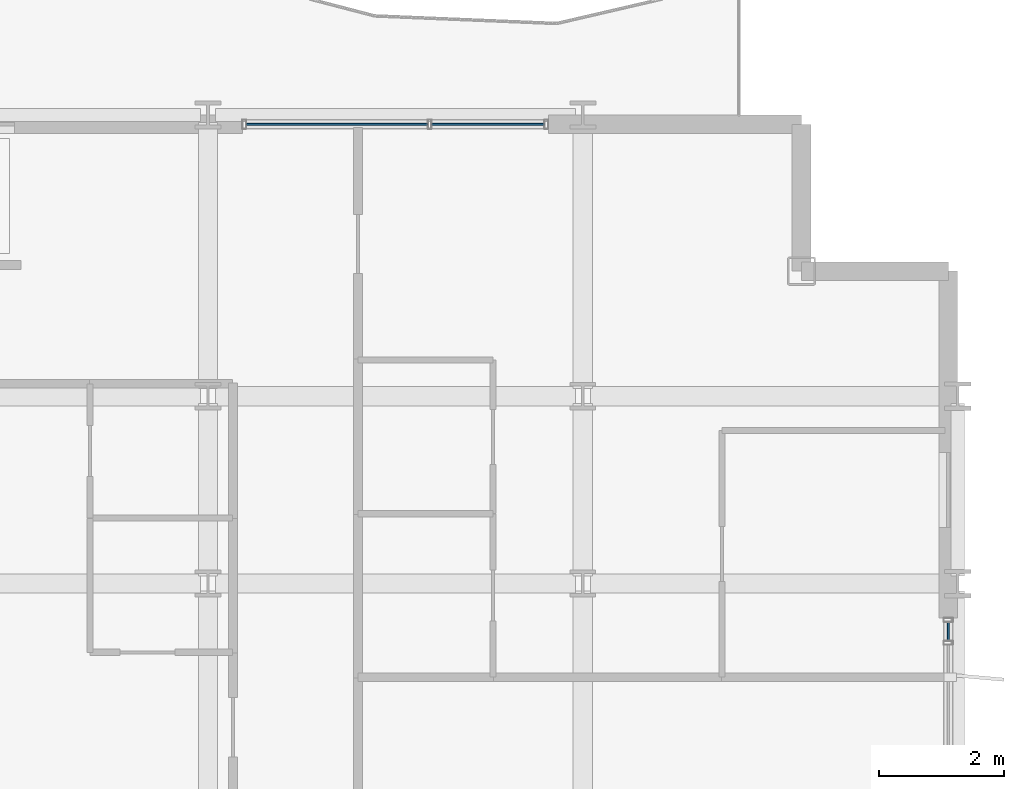
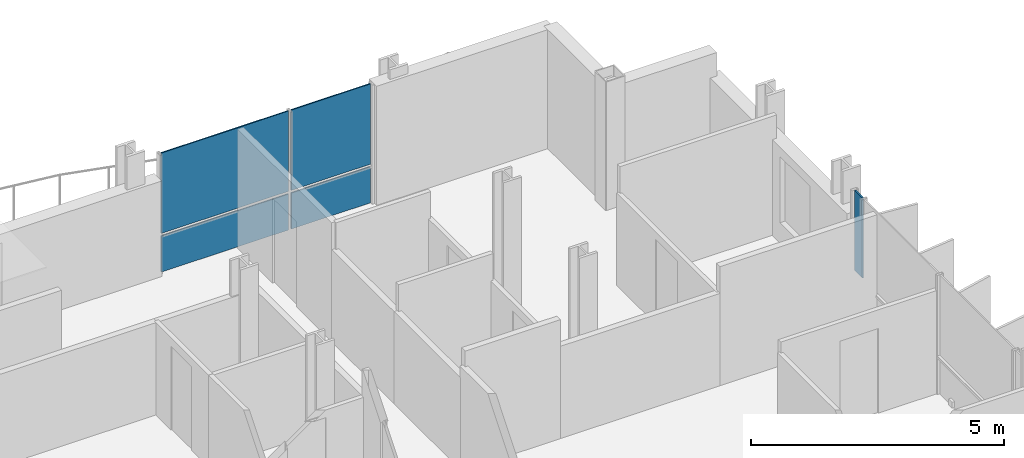
# One storey, part 24 of 38: 5 plates, 2 elements without a shape of their own.
"""IFC4 building model written with IfcOpenShell, lengths in metres."""

from ifc_helpers import new_model, si_unit, direction, frame, origin, origin_2d, place, context, subcontext, project, spatial, rectangle, extrude, material, layer, layer_set, type_object, element, aggregate, save


model = new_model("IFC4")

# Units and contexts
model_context = context("Model", 3, precision=1e-05, world=origin(), true_north=direction((0.0, 1.0)))
body_context = subcontext(model_context, "Body", "Model", "MODEL_VIEW")
ifc_project = project(units=[si_unit("LENGTHUNIT", "METRE"), si_unit("AREAUNIT", "SQUARE_METRE"), si_unit("VOLUMEUNIT", "CUBIC_METRE"), si_unit("PLANEANGLEUNIT", "RADIAN"), si_unit("MASSUNIT", "GRAM", prefix="KILO")], contexts=[model_context])

# Site, building, storey
site_placement = place(None, origin())
site = spatial("IfcSite", under=ifc_project, at=site_placement, CompositionType="ELEMENT")
building_placement = place(site_placement, origin())
building = spatial("IfcBuilding", under=site, at=building_placement, Name="Brevholm Reach", CompositionType="ELEMENT")
storey_placement = place(building_placement, frame((0.0, 0.0, 65.199951171875)))
storey = spatial("IfcBuildingStorey", under=building, at=storey_placement, Name="L18", CompositionType="ELEMENT", Elevation=65.199951171875)

# Curtain wall, plate
ifc_material_1 = material(Name="Dark Anodised Aluminium 6063-T6 and Solar-Control Glass", Category="aluminium")
ifc_layer_1 = layer(ifc_material_1, 0.14990234375)
ifc_layer_set_1 = layer_set([ifc_layer_1], Name="Dark Anodised Aluminium 6063-T6 and Solar-Control Glass")
curtain_wall_type = type_object("IfcCurtainWallType", Name="CW-01", PredefinedType="NOTDEFINED", material=ifc_layer_set_1)
curtain_wall_1_placement = place(storey_placement, origin())
curtain_wall_1 = element("IfcCurtainWall", 1, at=curtain_wall_1_placement, inside=storey, type_object=curtain_wall_type, Name="L18 Curtain Wall CW-01", PredefinedType="NOTDEFINED")
ifc_material_2 = material(Name="Dark Solar-Control Double-Glazed IGU Glass", Category="glass")
ifc_layer_2 = layer(ifc_material_2, 0.028076171875)
ifc_layer_set_2 = layer_set([ifc_layer_2], Name="Dark Solar-Control Double-Glazed IGU Glass")
plate_type = type_object("IfcPlateType", Name="CWP-GLZ-28", PredefinedType="CURTAIN_PANEL", material=ifc_layer_set_2)
plate_1_placement = place(storey_placement, frame((59.85009765625, 22.733642578125, 0.9326171875), z_axis=(0.0, 0.0, 1.0), x_axis=(0.0, 1.0, 0.0)))
plate_1 = element("IfcPlate", 2, at=plate_1_placement, type_object=plate_type, Name="CP-01 Glazing Panel 5.2", PredefinedType="CURTAIN_PANEL", context=body_context, shape_type="SweptSolid", body=[
    extrude(rectangle(XDim=0.302490234375, YDim=0.028076171875, at=origin_2d()), origin(), (0.0, 0.0, 1.0), 1.9375),
])
aggregate(curtain_wall_1, [plate_1])

# Curtain wall, plates
curtain_wall_2_placement = place(storey_placement, origin())
curtain_wall_2 = element("IfcCurtainWall", 3, at=curtain_wall_2_placement, inside=storey, type_object=curtain_wall_type, Name="L18 Curtain Wall CW-01", PredefinedType="NOTDEFINED")
plate_2_placement = place(storey_placement, frame((50.066162109375, 30.85009765625, 0.0), z_axis=(0.0, 0.0, 1.0), x_axis=(1.0, 0.0, 0.0)))
plate_2 = element("IfcPlate", 4, at=plate_2_placement, type_object=plate_type, Name="CP-01 Glazing Panel 1.1", PredefinedType="CURTAIN_PANEL", context=body_context, shape_type="SweptSolid", body=[
    extrude(rectangle(XDim=2.902587890625, YDim=0.028076171875, at=origin_2d()), origin(), (0.0, 0.0, 1.0), 0.867431640625),
])
plate_3_placement = place(storey_placement, frame((50.066162109375, 30.85009765625, 0.9326171875), z_axis=(0.0, 0.0, 1.0), x_axis=(1.0, 0.0, 0.0)))
plate_3 = element("IfcPlate", 5, at=plate_3_placement, type_object=plate_type, Name="CP-01 Glazing Panel 1.2", PredefinedType="CURTAIN_PANEL", context=body_context, shape_type="SweptSolid", body=[
    extrude(rectangle(XDim=2.902587890625, YDim=0.028076171875, at=origin_2d()), origin(), (0.0, 0.0, 1.0), 1.9375),
])
plate_4_placement = place(storey_placement, frame((52.483642578125, 30.85009765625, 0.0), z_axis=(0.0, 0.0, 1.0), x_axis=(1.0, 0.0, 0.0)))
plate_4 = element("IfcPlate", 6, at=plate_4_placement, type_object=plate_type, Name="CP-01 Glazing Panel 2.1", PredefinedType="CURTAIN_PANEL", context=body_context, shape_type="SweptSolid", body=[
    extrude(rectangle(XDim=1.802490234375, YDim=0.028076171875, at=origin_2d()), origin(), (0.0, 0.0, 1.0), 0.867431640625),
])
plate_5_placement = place(storey_placement, frame((52.483642578125, 30.85009765625, 0.9326171875), z_axis=(0.0, 0.0, 1.0), x_axis=(1.0, 0.0, 0.0)))
plate_5 = element("IfcPlate", 7, at=plate_5_placement, type_object=plate_type, Name="CP-01 Glazing Panel 2.2", PredefinedType="CURTAIN_PANEL", context=body_context, shape_type="SweptSolid", body=[
    extrude(rectangle(XDim=1.802490234375, YDim=0.028076171875, at=origin_2d()), origin(), (0.0, 0.0, 1.0), 1.9375),
])
aggregate(curtain_wall_2, [plate_2, plate_3, plate_4, plate_5])

save(model, "model.ifc")
